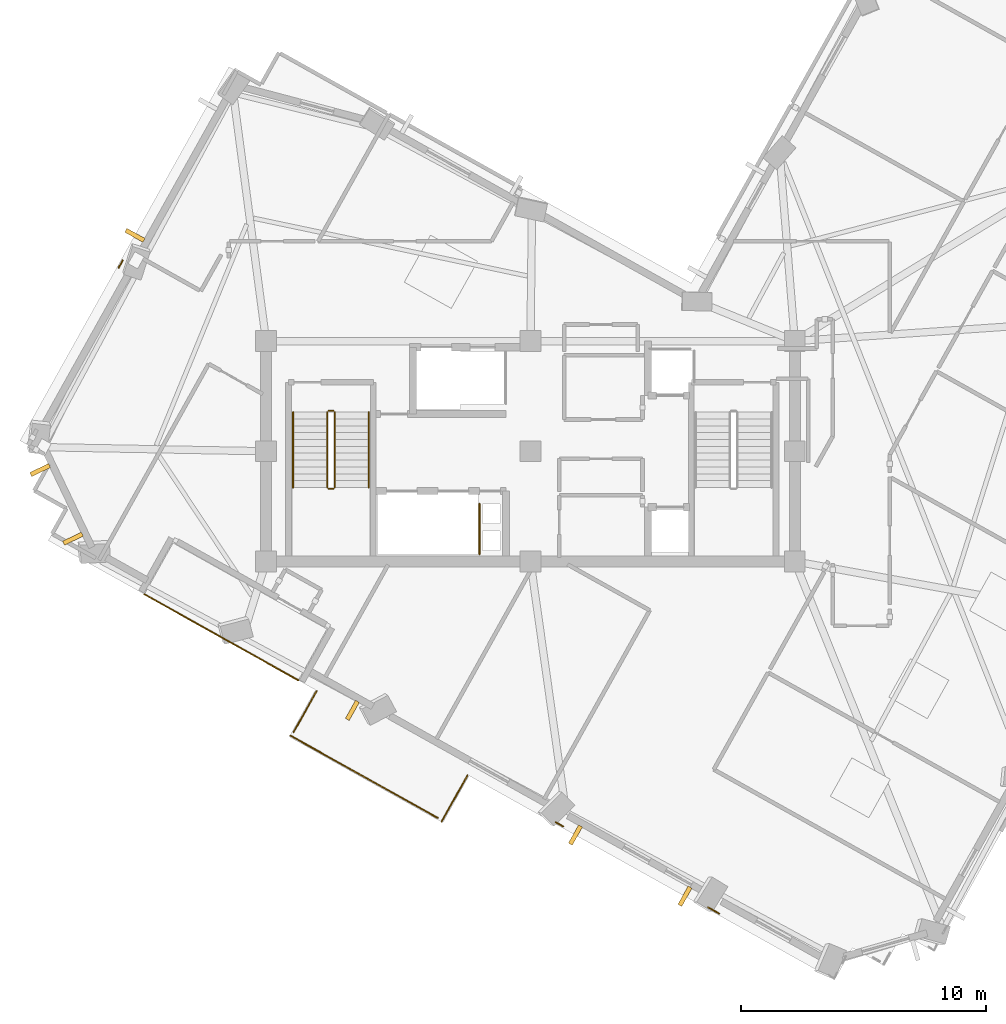
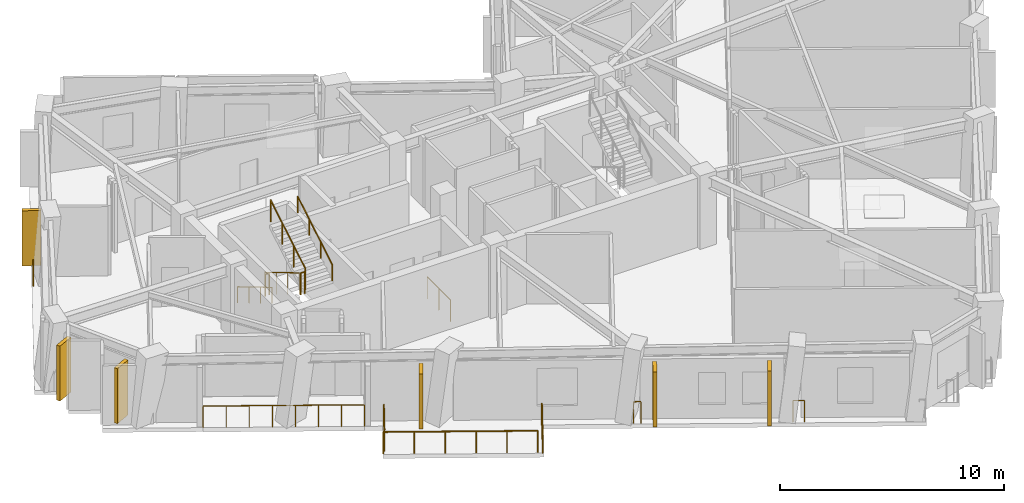
# One storey, part 8 of 11: 14 railings, 6 shading devices.
"""IFC4 building model written with IfcOpenShell, lengths in metres."""

import ifcopenshell
import ifcopenshell.guid

model = None  # the IFC model being written
_history = None  # IfcOwnerHistory: only IFC2X3 demands one
_inside = {}  # id of a spatial element -> (the spatial element, [elements in it])
_under = {}  # id of a project, library or spatial element -> (it, [spatial elements below it])
_declared = {}  # id of a project -> (the project, [libraries it declares])
_typed = {}  # id of a type object -> (the type object, [elements of that type])
_made_of = {}  # id of a material, layer set ... -> (it, [elements and type objects made of it])


def new_model(schema):
    """Start an empty IFC model of exactly this schema.

    Asked for "IFC4X3", IfcOpenShell would pick the latest addendum, in which some entities
    have other attributes; the version numbers below select the first issue.
    IFC2X3 requires an IfcOwnerHistory on every rooted entity: one is made here for all.
    """
    global model, _history
    if schema == "IFC4X3":
        model = ifcopenshell.file(schema_version=(4, 3, 0, 0))
    else:
        model = ifcopenshell.file(schema=schema)
    _inside.clear()
    _under.clear()
    _declared.clear()
    _typed.clear()
    _made_of.clear()
    _history = None
    if model.schema == "IFC2X3":
        org = make("IfcOrganization", Name="unknown")
        user = make(
            "IfcPersonAndOrganization",
            ThePerson=make("IfcPerson", FamilyName="unknown"),
            TheOrganization=org,
        )
        app = make(
            "IfcApplication",
            ApplicationDeveloper=org,
            Version="unknown",
            ApplicationFullName="unknown",
            ApplicationIdentifier="unknown",
        )
        _history = make(
            "IfcOwnerHistory",
            OwningUser=user,
            OwningApplication=app,
            ChangeAction="ADDED",
            CreationDate=0,
        )
    return model


def make(cls, **values):
    """One entity of the class cls with the attributes given. An attribute that is None is left unset."""
    return model.create_entity(
        cls, **{name: value for name, value in values.items() if value is not None}
    )


def rooted(cls, **values):
    """An entity with a GlobalId (a new one), such as an element, a storey or a relation."""
    return make(cls, GlobalId=ifcopenshell.guid.new(), OwnerHistory=_history, **values)


def si_unit(unit_type, name, prefix=None):
    """IfcSIUnit, for example si_unit("LENGTHUNIT", "METRE", prefix="MILLI")."""
    return make("IfcSIUnit", UnitType=unit_type, Prefix=prefix, Name=name)


def assignment(units):
    """IfcUnitAssignment: the units of a project."""
    return None if units is None else make("IfcUnitAssignment", Units=units)


def point(xyz):
    """IfcCartesianPoint."""
    return None if xyz is None else make("IfcCartesianPoint", Coordinates=xyz)


def direction(xyz):
    """IfcDirection."""
    return None if xyz is None else make("IfcDirection", DirectionRatios=xyz)


def frame(location, z_axis=None, x_axis=None):
    """IfcAxis2Placement3D, a coordinate frame: its origin and axes. An axis left out is left unset."""
    return make(
        "IfcAxis2Placement3D",
        Location=point(location),
        Axis=direction(z_axis),
        RefDirection=direction(x_axis),
    )


def frame_2d(location, x_axis=None):
    """IfcAxis2Placement2D, a coordinate frame in the plane: its origin and x axis."""
    return make(
        "IfcAxis2Placement2D", Location=point(location), RefDirection=direction(x_axis)
    )


def origin():
    """The frame at (0, 0, 0) with its axes left unset."""
    return frame((0.0, 0.0, 0.0))


def origin_2d():
    """The frame at (0, 0) in the plane with its x axis left unset."""
    return frame_2d((0.0, 0.0))


def place(relative_to, where):
    """IfcLocalPlacement: puts the frame where relative to a parent placement (None: the world)."""
    return make(
        "IfcLocalPlacement", PlacementRelTo=relative_to, RelativePlacement=where
    )


def context(
    kind, dimensions, precision=None, world=None, true_north=None, identifier=None
):
    """IfcGeometricRepresentationContext, for example the 3D "Model" context."""
    return make(
        "IfcGeometricRepresentationContext",
        ContextIdentifier=identifier,
        ContextType=kind,
        CoordinateSpaceDimension=dimensions,
        Precision=precision,
        WorldCoordinateSystem=world,
        TrueNorth=true_north,
    )


def subcontext(parent, identifier, kind, view, scale=None):
    """IfcGeometricRepresentationSubContext, for example "Body" below "Model"."""
    return make(
        "IfcGeometricRepresentationSubContext",
        ContextIdentifier=identifier,
        ContextType=kind,
        ParentContext=parent,
        TargetScale=scale,
        TargetView=view,
    )


def project(units=None, contexts=None):
    """IfcProject with its units and contexts."""
    return rooted(
        "IfcProject",
        Name="project",
        RepresentationContexts=contexts,
        UnitsInContext=assignment(units),
    )


def spatial(cls, under=None, at=None, **own):
    """A site, building, storey or space (cls), placed at a placement, below another one or the project."""
    s = rooted(cls, ObjectPlacement=at, **own)
    if under is not None:
        _under.setdefault(under.id(), (under, []))[1].append(s)
    return s


def profile(cls, at=None, kind="AREA", **sizes):
    """A parametric profile (cls). Its sizes go by their IFC names, for example OverallWidth=200.0."""
    return make(cls, ProfileType=kind, Position=at, **sizes)


def rectangle(**sizes):
    """IfcRectangleProfileDef."""
    return profile("IfcRectangleProfileDef", **sizes)


def circle(**sizes):
    """IfcCircleProfileDef."""
    return profile("IfcCircleProfileDef", **sizes)


def extrude(swept, where, along, depth):
    """IfcExtrudedAreaSolid: the profile swept, set in the frame where, extruded along a direction by depth."""
    return make(
        "IfcExtrudedAreaSolid",
        SweptArea=swept,
        Position=where,
        ExtrudedDirection=direction(along),
        Depth=depth,
    )


def shape(context_of_items, identifier, shape_type, items):
    """IfcShapeRepresentation: the items that make up one representation, for example the "Body"."""
    return make(
        "IfcShapeRepresentation",
        ContextOfItems=context_of_items,
        RepresentationIdentifier=identifier,
        RepresentationType=shape_type,
        Items=items,
    )


def material(Name=None, Category=None):
    """IfcMaterial."""
    return make("IfcMaterial", Name=Name, Category=Category)


def layer(
    of_material, thickness, ventilated=None, Name=None, Category=None, Priority=None
):
    """IfcMaterialLayer: one layer of a wall or slab, of a material (None: an air gap)."""
    return make(
        "IfcMaterialLayer",
        Material=of_material,
        LayerThickness=thickness,
        IsVentilated=ventilated,
        Name=Name,
        Category=Category,
        Priority=Priority,
    )


def layer_set(layers, Name=None):
    """IfcMaterialLayerSet."""
    return make("IfcMaterialLayerSet", MaterialLayers=layers, LayerSetName=Name)


def made_of(thing, what):
    """Note that an element or type object is made of a material, layer set ...; save() writes the relation."""
    if what is not None:
        _made_of.setdefault(what.id(), (what, []))[1].append(thing)
    return thing


def type_object(cls, material=None, **own):
    """A type object (cls), such as IfcWallType, which elements share."""
    return made_of(rooted(cls, **own), material)


def element(
    cls,
    number,
    at=None,
    inside=None,
    cuts=None,
    type_object=None,
    material=None,
    context=None,
    identifier="Body",
    shape_type=None,
    held_by="IfcProductDefinitionShape",
    body=None,
    shapes=None,
    **own,
):
    """One element of the class cls, such as IfcWall. Its Tag is "e" and its number.

    at: its placement. inside: the storey or other place that contains it. cuts: it is an
    opening in that element (IfcRelVoidsElement). A single representation is given by context,
    identifier, shape_type and body (its items); several are given by shapes. held_by: the class
    of the entity that holds the representations. save() writes the other relations.
    """
    e = rooted(cls, Tag="e%d" % number, ObjectPlacement=at, **own)
    if body is not None:
        shapes = [shape(context, identifier, shape_type, body)]
    if shapes is not None:
        e.Representation = make(held_by, Representations=shapes)
    if inside is not None:
        _inside.setdefault(inside.id(), (inside, []))[1].append(e)
    if cuts is not None:
        rooted(
            "IfcRelVoidsElement", RelatingBuildingElement=cuts, RelatedOpeningElement=e
        )
    if type_object is not None:
        _typed.setdefault(type_object.id(), (type_object, []))[1].append(e)
    return made_of(e, material)


def aggregate(whole, parts):
    """IfcRelAggregates: a whole, such as a stair, and the parts it consists of."""
    return rooted("IfcRelAggregates", RelatingObject=whole, RelatedObjects=parts)


def save(model, path):
    """Write the relations noted so far, then the file.

    IfcRelAggregates (storeys below a building ...), IfcRelContainedInSpatialStructure (elements
    in a storey), IfcRelDefinesByType, IfcRelAssociatesMaterial and IfcRelDeclares: one each for
    every whole, place, type object, material and project.
    """
    for whole, parts in _under.values():
        aggregate(whole, parts)
    for where, things in _inside.values():
        rooted(
            "IfcRelContainedInSpatialStructure",
            RelatedElements=things,
            RelatingStructure=where,
        )
    for kind, things in _typed.values():
        rooted("IfcRelDefinesByType", RelatedObjects=things, RelatingType=kind)
    for what, things in _made_of.values():
        rooted("IfcRelAssociatesMaterial", RelatedObjects=things, RelatingMaterial=what)
    for by, libraries in _declared.values():
        rooted("IfcRelDeclares", RelatingContext=by, RelatedDefinitions=libraries)
    model.write(path)


model = new_model("IFC4")

# Units and contexts
model_context = context("Model", 3, precision=1e-05, world=origin(), true_north=direction((0.0, 1.0)))
body_context = subcontext(model_context, "Body", "Model", "MODEL_VIEW")
ifc_project = project(units=[si_unit("LENGTHUNIT", "METRE"), si_unit("AREAUNIT", "SQUARE_METRE"), si_unit("VOLUMEUNIT", "CUBIC_METRE"), si_unit("PLANEANGLEUNIT", "RADIAN"), si_unit("MASSUNIT", "GRAM", prefix="KILO")], contexts=[model_context])

# Site, building, storey
site_placement = place(None, origin())
site = spatial("IfcSite", under=ifc_project, at=site_placement, CompositionType="ELEMENT")
building_placement = place(site_placement, origin())
building = spatial("IfcBuilding", under=site, at=building_placement, Name="Gaonmaruhae Medical Tower", CompositionType="ELEMENT")
storey_placement = place(building_placement, frame((0.0, 0.0, 284.60009765625)))
storey = spatial("IfcBuildingStorey", under=building, at=storey_placement, Name="L68", CompositionType="ELEMENT", Elevation=284.60009765625)

# Railings
ifc_material_1 = material(Name="Stainless steel 316L and laminated safety glass", Category="steel")
ifc_layer = layer(ifc_material_1, 0.080078125)
ifc_layer_set = layer_set([ifc_layer], Name="Stainless steel 316L and laminated safety glass")
railing_type_1 = type_object("IfcRailingType", Name="GD-120 Outdoor Terrace Safety Glass & Steel Balustrade", PredefinedType="BALUSTRADE", material=ifc_layer_set)
railing_1_placement = place(storey_placement, frame((9.0283203125, 6.456298828125, 0.0)))
element("IfcRailing", 1, at=railing_1_placement, inside=storey, type_object=railing_type_1, Name="L68 Terrace Safety Guard RL-SLB-L68-TER-04", PredefinedType="BALUSTRADE", context=body_context, shape_type="SweptSolid", body=[
    extrude(circle(Radius=0.02392578125, at=origin_2d()), frame((0.0, 0.0, 1.17578125), z_axis=(0.872934138766, -0.487838077006, 0.0), x_axis=(0.487838077006, 0.872934138766, 0.0)), (0.0, 0.0, 1.0), 7.199951171875),
    extrude(circle(Radius=0.02099609375, at=origin_2d()), origin(), (0.0, 0.0, 1.0), 1.15185546875),
    extrude(circle(Radius=0.02099609375, at=origin_2d()), frame((0.89794921875, -0.501708984375, 0.0)), (0.0, 0.0, 1.0), 1.15185546875),
    extrude(circle(Radius=0.02099609375, at=origin_2d()), frame((1.795654296875, -1.003662109375, 0.0)), (0.0, 0.0, 1.0), 1.15185546875),
    extrude(circle(Radius=0.02099609375, at=origin_2d()), frame((2.693603515625, -1.50537109375, 0.0)), (0.0, 0.0, 1.0), 1.15185546875),
    extrude(circle(Radius=0.02099609375, at=origin_2d()), frame((3.591552734375, -2.007080078125, 0.0)), (0.0, 0.0, 1.0), 1.15185546875),
    extrude(circle(Radius=0.02099609375, at=origin_2d()), frame((4.489501953125, -2.5087890625, 0.0)), (0.0, 0.0, 1.0), 1.15185546875),
    extrude(circle(Radius=0.02099609375, at=origin_2d()), frame((5.38720703125, -3.0107421875, 0.0)), (0.0, 0.0, 1.0), 1.15185546875),
    extrude(circle(Radius=0.02099609375, at=origin_2d()), frame((6.28515625, -3.512451171875, 0.0)), (0.0, 0.0, 1.0), 1.15185546875),
])
railing_2_placement = place(storey_placement, frame((7.974609375, 19.800537109375, 0.0)))
element("IfcRailing", 2, at=railing_2_placement, inside=storey, type_object=railing_type_1, Name="L68 Perimeter Slab Edge Safety Balustrade 01", PredefinedType="BALUSTRADE", context=body_context, shape_type="SweptSolid", body=[
    extrude(circle(Radius=0.02392578125, at=origin_2d()), frame((0.0, 0.0, 1.17578125), z_axis=(0.487417299632, 0.87316915659, 0.0), x_axis=(-0.87316915659, 0.487417299632, 0.0)), (0.0, 0.0, 1.0), 0.338623046875),
    extrude(circle(Radius=0.02099609375, at=origin_2d()), origin(), (0.0, 0.0, 1.0), 1.15185546875),
    extrude(circle(Radius=0.02099609375, at=origin_2d()), frame((0.1650390625, 0.295654296875, 0.0)), (0.0, 0.0, 1.0), 1.15185546875),
])
railing_3_placement = place(storey_placement, frame((32.507568359375, -6.58544921875, 0.0)))
element("IfcRailing", 3, at=railing_3_placement, inside=storey, type_object=railing_type_1, Name="L68 Perimeter Slab Edge Safety Balustrade 09", PredefinedType="BALUSTRADE", context=body_context, shape_type="SweptSolid", body=[
    extrude(circle(Radius=0.02392578125, at=origin_2d()), frame((0.0, 0.0, 1.17578125), z_axis=(-0.872860559087, 0.487969716673, 0.0), x_axis=(-0.487969716673, -0.872860559087, 0.0)), (0.0, 0.0, 1.0), 0.516357421875),
    extrude(circle(Radius=0.02099609375, at=origin_2d()), origin(), (0.0, 0.0, 1.0), 1.15185546875),
    extrude(circle(Radius=0.02099609375, at=origin_2d()), frame((-0.45068359375, 0.251953125, 0.0)), (0.0, 0.0, 1.0), 1.15185546875),
])
railing_4_placement = place(storey_placement, frame((26.132568359375, -3.0224609375, 0.0)))
element("IfcRailing", 4, at=railing_4_placement, inside=storey, type_object=railing_type_1, Name="L68 Perimeter Slab Edge Safety Balustrade 10", PredefinedType="BALUSTRADE", context=body_context, shape_type="SweptSolid", body=[
    extrude(circle(Radius=0.02392578125, at=origin_2d()), frame((0.0, 0.0, 1.17578125), z_axis=(-0.873133366965, 0.487481408355, 0.0), x_axis=(-0.487481408355, -0.873133366965, 0.0)), (0.0, 0.0, 1.0), 0.338134765625),
    extrude(circle(Radius=0.02099609375, at=origin_2d()), origin(), (0.0, 0.0, 1.0), 1.15185546875),
    extrude(circle(Radius=0.02099609375, at=origin_2d()), frame((-0.295166015625, 0.164794921875, 0.0)), (0.0, 0.0, 1.0), 1.15185546875),
])
railing_5_placement = place(storey_placement, frame((22.225830078125, -0.9423828125, 0.0)))
element("IfcRailing", 5, at=railing_5_placement, inside=storey, type_object=railing_type_1, Name="L68 Perimeter Slab Edge Safety Balustrade 11", PredefinedType="BALUSTRADE", context=body_context, shape_type="SweptSolid", body=[
    extrude(circle(Radius=0.02392578125, at=origin_2d()), frame((0.0, 0.0, 1.17578125), z_axis=(-0.487839090741, -0.872933572241, 0.0), x_axis=(0.872933572241, -0.487839090741, 0.0)), (0.0, 0.0, 1.0), 2.159912109375),
    extrude(circle(Radius=0.02099609375, at=origin_2d()), origin(), (0.0, 0.0, 1.0), 1.15185546875),
    extrude(circle(Radius=0.02099609375, at=origin_2d()), frame((-0.52685546875, -0.94287109375, 0.0)), (0.0, 0.0, 1.0), 1.15185546875),
    extrude(circle(Radius=0.02099609375, at=origin_2d()), frame((-1.0537109375, -1.885498046875, 0.0)), (0.0, 0.0, 1.0), 1.15185546875),
])
railing_6_placement = place(storey_placement, frame((21.01318359375, -2.681884765625, 0.0)))
element("IfcRailing", 6, at=railing_6_placement, inside=storey, type_object=railing_type_1, Name="L68 Perimeter Slab Edge Safety Balustrade 12", PredefinedType="BALUSTRADE", context=body_context, shape_type="SweptSolid", body=[
    extrude(circle(Radius=0.02392578125, at=origin_2d()), frame((0.0, 0.0, 1.17578125), z_axis=(-0.872924425707, 0.487855457081, 0.0), x_axis=(-0.487855457081, -0.872924425707, 0.0)), (0.0, 0.0, 1.0), 6.89990234375),
    extrude(circle(Radius=0.02099609375, at=origin_2d()), origin(), (0.0, 0.0, 1.0), 1.15185546875),
    extrude(circle(Radius=0.02099609375, at=origin_2d()), frame((-1.20458984375, 0.67333984375, 0.0)), (0.0, 0.0, 1.0), 1.15185546875),
    extrude(circle(Radius=0.02099609375, at=origin_2d()), frame((-2.4091796875, 1.346435546875, 0.0)), (0.0, 0.0, 1.0), 1.15185546875),
    extrude(circle(Radius=0.02099609375, at=origin_2d()), frame((-3.614013671875, 2.019775390625, 0.0)), (0.0, 0.0, 1.0), 1.15185546875),
    extrude(circle(Radius=0.02099609375, at=origin_2d()), frame((-4.818603515625, 2.69287109375, 0.0)), (0.0, 0.0, 1.0), 1.15185546875),
    extrude(circle(Radius=0.02099609375, at=origin_2d()), frame((-6.023193359375, 3.3662109375, 0.0)), (0.0, 0.0, 1.0), 1.15185546875),
])
railing_7_placement = place(storey_placement, frame((15.125732421875, 0.82470703125, 0.0)))
element("IfcRailing", 7, at=railing_7_placement, inside=storey, type_object=railing_type_1, Name="L68 Perimeter Slab Edge Safety Balustrade 13", PredefinedType="BALUSTRADE", context=body_context, shape_type="SweptSolid", body=[
    extrude(circle(Radius=0.02392578125, at=origin_2d()), frame((0.0, 0.0, 1.17578125), z_axis=(0.487809965993, 0.872949847974, 0.0), x_axis=(-0.872949847974, 0.487809965993, 0.0)), (0.0, 0.0, 1.0), 1.92138671875),
    extrude(circle(Radius=0.02099609375, at=origin_2d()), origin(), (0.0, 0.0, 1.0), 1.15185546875),
    extrude(circle(Radius=0.02099609375, at=origin_2d()), frame((0.46875, 0.838623046875, 0.0)), (0.0, 0.0, 1.0), 1.15185546875),
    extrude(circle(Radius=0.02099609375, at=origin_2d()), frame((0.937255859375, 1.67724609375, 0.0)), (0.0, 0.0, 1.0), 1.15185546875),
])
ifc_material_2 = material(Name="Stainless steel 304 handrail", Category="steel")
railing_type_2 = type_object("IfcRailingType", Name="HR-092 Continuous Stainless Steel Stair Handrail", PredefinedType="HANDRAIL", material=ifc_material_2)
railing_8_placement = place(storey_placement, frame((15.10009765625, 13.89990234375, 0.16650390625)))
element("IfcRailing", 8, at=railing_8_placement, inside=storey, type_object=railing_type_2, Name="L68 ST-01 stair handrail 1", PredefinedType="HANDRAIL", context=body_context, shape_type="SweptSolid", body=[
    extrude(circle(Radius=0.02392578125, at=origin_2d()), frame((0.0, 0.0, 0.8759765625), z_axis=(0.0, -0.859260807169, 0.511537745687), x_axis=(1.0, 0.0, 0.0)), (0.0, 0.0, 1.0), 3.584228515625),
    extrude(circle(Radius=0.02099609375, at=origin_2d()), origin(), (0.0, 0.0, 1.0), 0.851806640625),
    extrude(circle(Radius=0.02099609375, at=origin_2d()), frame((0.0, -1.026611328125, 0.611083984375)), (0.0, 0.0, 1.0), 0.851806640625),
    extrude(circle(Radius=0.02099609375, at=origin_2d()), frame((0.0, -2.05322265625, 1.222412109375)), (0.0, 0.0, 1.0), 0.851806640625),
    extrude(circle(Radius=0.02099609375, at=origin_2d()), frame((0.0, -3.079833984375, 1.83349609375)), (0.0, 0.0, 1.0), 0.851806640625),
])
railing_9_placement = place(storey_placement, frame((18.199951171875, 10.820068359375, 2.16650390625)))
element("IfcRailing", 9, at=railing_9_placement, inside=storey, type_object=railing_type_2, Name="L68 ST-01 stair handrail 2", PredefinedType="HANDRAIL", context=body_context, shape_type="SweptSolid", body=[
    extrude(circle(Radius=0.02392578125, at=origin_2d()), frame((0.0, 0.0, 0.8759765625), z_axis=(0.0, 0.859260807169, 0.511537745687), x_axis=(-1.0, 0.0, 0.0)), (0.0, 0.0, 1.0), 3.584228515625),
    extrude(circle(Radius=0.02099609375, at=origin_2d()), origin(), (0.0, 0.0, 1.0), 0.851806640625),
    extrude(circle(Radius=0.02099609375, at=origin_2d()), frame((0.0, 1.026611328125, 0.611083984375)), (0.0, 0.0, 1.0), 0.851806640625),
    extrude(circle(Radius=0.02099609375, at=origin_2d()), frame((0.0, 2.05322265625, 1.222412109375)), (0.0, 0.0, 1.0), 0.851806640625),
    extrude(circle(Radius=0.02099609375, at=origin_2d()), frame((0.0, 3.079833984375, 1.83349609375)), (0.0, 0.0, 1.0), 0.851806640625),
])

# Shading devices
ifc_material_3 = material(Name="Pigmented coral precast concrete C45/55", Category="concrete")
shading_device_type = type_object("IfcShadingDeviceType", Name="SD-FIN1 Tower Vertical Coral Precast Shading Fin", PredefinedType="USERDEFINED", material=ifc_material_3)
for number, where, z_axis, x_axis, name in (
    (10, (8.639404296875, 21.12353515625, 0.13232421875), (0.0, 0.0, 1.0), (0.487859659139, 0.87292207727, 0.0), "L68 Vertical Coral Precast Shading Fin N01"),
    (11, (6.10791015625, 8.729248046875, 0.13232421875), (0.0, 0.0, 1.0), (-0.43180240844, 0.901968225641, 0.0), "L68 Vertical Coral Precast Shading Fin N03"),
    (12, (4.765869140625, 11.53271484375, 0.13232421875), (0.0, 0.0, 1.0), (-0.43180240844, 0.901968225641, 0.0), "L68 Vertical Coral Precast Shading Fin N03B"),
    (13, (17.524658203125, 1.7138671875, 0.122314453125), (0.0, 0.0, 1.0), (-0.872930591894, 0.4878444237, 0.0), "L68 Vertical Coral Precast Shading Fin W02"),
    (14, (31.1123046875, -5.880126953125, 0.13232421875), (0.0, 0.0, 1.0), (-0.87292207727, 0.487859659139, 0.0), "L68 Vertical Coral Precast Shading Fin W04"),
    (15, (26.638427734375, -3.3798828125, 0.13232421875), (0.0, 0.0, 1.0), (-0.87292207727, 0.487859659139, 0.0), "L68 Vertical Coral Precast Shading Fin W04B"),
):
    element("IfcShadingDevice", number, at=place(storey_placement, frame(where, z_axis=z_axis, x_axis=x_axis)), inside=storey, type_object=shading_device_type, Name=name, ObjectType="FIN", PredefinedType="USERDEFINED", context=body_context, shape_type="SweptSolid", body=[
        extrude(rectangle(XDim=0.179931640625, YDim=0.85009765625, at=origin_2d()), origin(), (0.0, 0.0, 1.0), 3.0),
    ])

# Railings
ifc_material_4 = material(Name="Stainless steel 304 balustrade", Category="steel")
railing_type_3 = type_object("IfcRailingType", Name="SG-112 Stair Well & Ramp Void Safety Balustrade", PredefinedType="BALUSTRADE", material=ifc_material_4)
railing_10_placement = place(storey_placement, frame((16.5, 13.89990234375, 0.16650390625)))
element("IfcRailing", 16, at=railing_10_placement, inside=storey, type_object=railing_type_3, Name="L68 ST-01 stair guard 1", PredefinedType="BALUSTRADE", context=body_context, shape_type="SweptSolid", body=[
    extrude(circle(Radius=0.02392578125, at=origin_2d()), frame((0.0, 0.0, 1.17578125), z_axis=(0.0, -0.859260807169, 0.511537745687), x_axis=(1.0, 0.0, 0.0)), (0.0, 0.0, 1.0), 3.584228515625),
    extrude(circle(Radius=0.02099609375, at=origin_2d()), origin(), (0.0, 0.0, 1.0), 1.15185546875),
    extrude(circle(Radius=0.02099609375, at=origin_2d()), frame((0.0, -1.026611328125, 0.611083984375)), (0.0, 0.0, 1.0), 1.15185546875),
    extrude(circle(Radius=0.02099609375, at=origin_2d()), frame((0.0, -2.05322265625, 1.222412109375)), (0.0, 0.0, 1.0), 1.15185546875),
    extrude(circle(Radius=0.02099609375, at=origin_2d()), frame((0.0, -3.079833984375, 1.83349609375)), (0.0, 0.0, 1.0), 1.15185546875),
])
railing_11_placement = place(storey_placement, frame((16.550048828125, 10.77001953125, 2.0)))
element("IfcRailing", 17, at=railing_11_placement, inside=storey, type_object=railing_type_3, Name="L68 ST-01 stair guard 2", PredefinedType="BALUSTRADE", context=body_context, shape_type="SweptSolid", body=[
    extrude(circle(Radius=0.02392578125, at=origin_2d()), frame((0.0, 0.0, 1.17578125), z_axis=(1.0, 0.0, 0.0), x_axis=(0.0, 1.0, 0.0)), (0.0, 0.0, 1.0), 0.199951171875),
    extrude(circle(Radius=0.02099609375, at=origin_2d()), origin(), (0.0, 0.0, 1.0), 1.15185546875),
    extrude(circle(Radius=0.02099609375, at=origin_2d()), frame((0.199951171875, 0.0, 0.0)), (0.0, 0.0, 1.0), 1.15185546875),
])
railing_12_placement = place(storey_placement, frame((16.800048828125, 10.820068359375, 2.16650390625)))
element("IfcRailing", 18, at=railing_12_placement, inside=storey, type_object=railing_type_3, Name="L68 ST-01 stair guard 3", PredefinedType="BALUSTRADE", context=body_context, shape_type="SweptSolid", body=[
    extrude(circle(Radius=0.02392578125, at=origin_2d()), frame((0.0, 0.0, 1.17578125), z_axis=(0.0, 0.859260807169, 0.511537745687), x_axis=(-1.0, 0.0, 0.0)), (0.0, 0.0, 1.0), 3.584228515625),
    extrude(circle(Radius=0.02099609375, at=origin_2d()), origin(), (0.0, 0.0, 1.0), 1.15185546875),
    extrude(circle(Radius=0.02099609375, at=origin_2d()), frame((0.0, 1.026611328125, 0.611083984375)), (0.0, 0.0, 1.0), 1.15185546875),
    extrude(circle(Radius=0.02099609375, at=origin_2d()), frame((0.0, 2.05322265625, 1.222412109375)), (0.0, 0.0, 1.0), 1.15185546875),
    extrude(circle(Radius=0.02099609375, at=origin_2d()), frame((0.0, 3.079833984375, 1.83349609375)), (0.0, 0.0, 1.0), 1.15185546875),
])
railing_13_placement = place(storey_placement, frame((16.550048828125, 13.949951171875, 0.0)))
element("IfcRailing", 19, at=railing_13_placement, inside=storey, type_object=railing_type_3, Name="L68 ST-01 stair guard 4", PredefinedType="BALUSTRADE", context=body_context, shape_type="SweptSolid", body=[
    extrude(circle(Radius=0.02392578125, at=origin_2d()), frame((0.0, 0.0, 1.17578125), z_axis=(1.0, 0.0, 0.0), x_axis=(0.0, 1.0, 0.0)), (0.0, 0.0, 1.0), 0.199951171875),
    extrude(circle(Radius=0.02099609375, at=origin_2d()), origin(), (0.0, 0.0, 1.0), 1.15185546875),
    extrude(circle(Radius=0.02099609375, at=origin_2d()), frame((0.199951171875, 0.0, 0.0)), (0.0, 0.0, 1.0), 1.15185546875),
])
railing_14_placement = place(storey_placement, frame((22.719970703125, 10.159912109375, 0.0)))
element("IfcRailing", 20, at=railing_14_placement, inside=storey, type_object=railing_type_3, Name="L68 Shaft Edge Safety Guard 16", PredefinedType="BALUSTRADE", context=body_context, shape_type="SweptSolid", body=[
    extrude(circle(Radius=0.02392578125, at=origin_2d()), frame((0.0, 0.0, 1.17578125), z_axis=(0.0, -1.0, 0.0), x_axis=(1.0, 0.0, 0.0)), (0.0, 0.0, 1.0), 2.06494140625),
    extrude(circle(Radius=0.02099609375, at=origin_2d()), origin(), (0.0, 0.0, 1.0), 1.15185546875),
    extrude(circle(Radius=0.02099609375, at=origin_2d()), frame((0.0, -1.032470703125, 0.0)), (0.0, 0.0, 1.0), 1.15185546875),
    extrude(circle(Radius=0.02099609375, at=origin_2d()), frame((0.0, -2.06494140625, 0.0)), (0.0, 0.0, 1.0), 1.15185546875),
])

save(model, "model.ifc")
